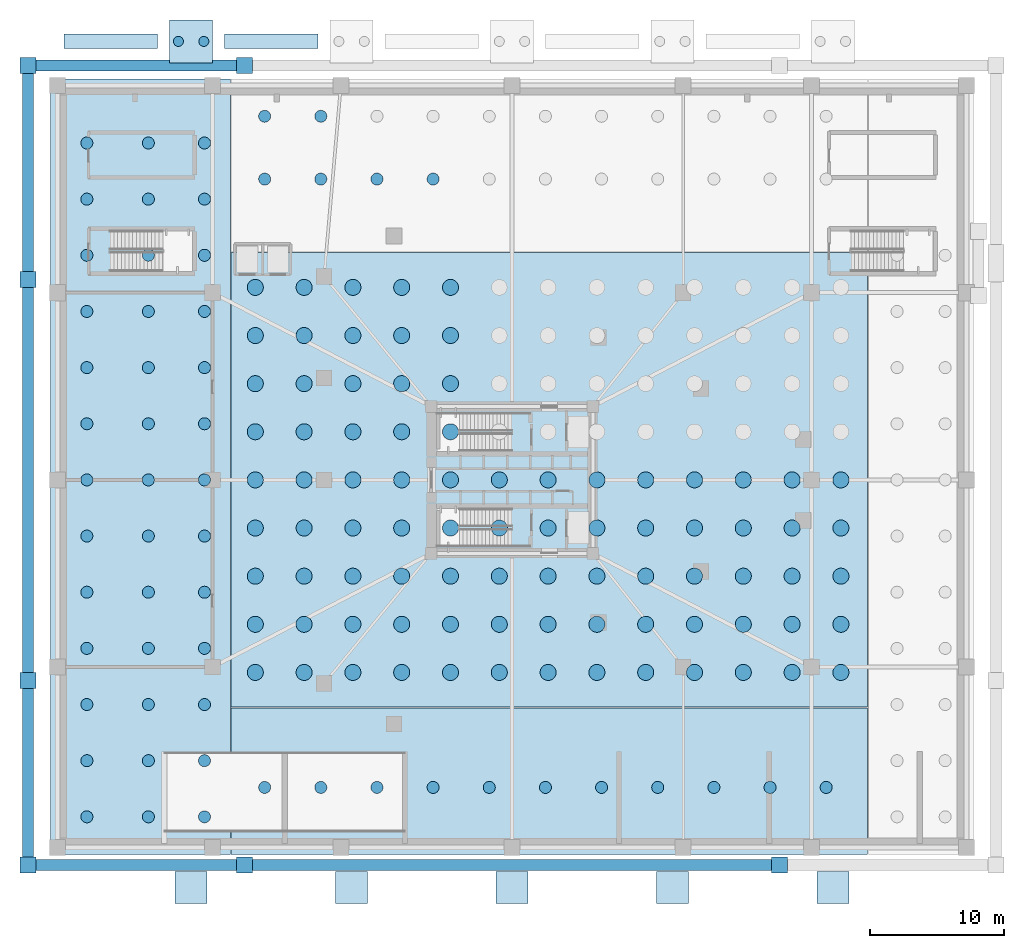
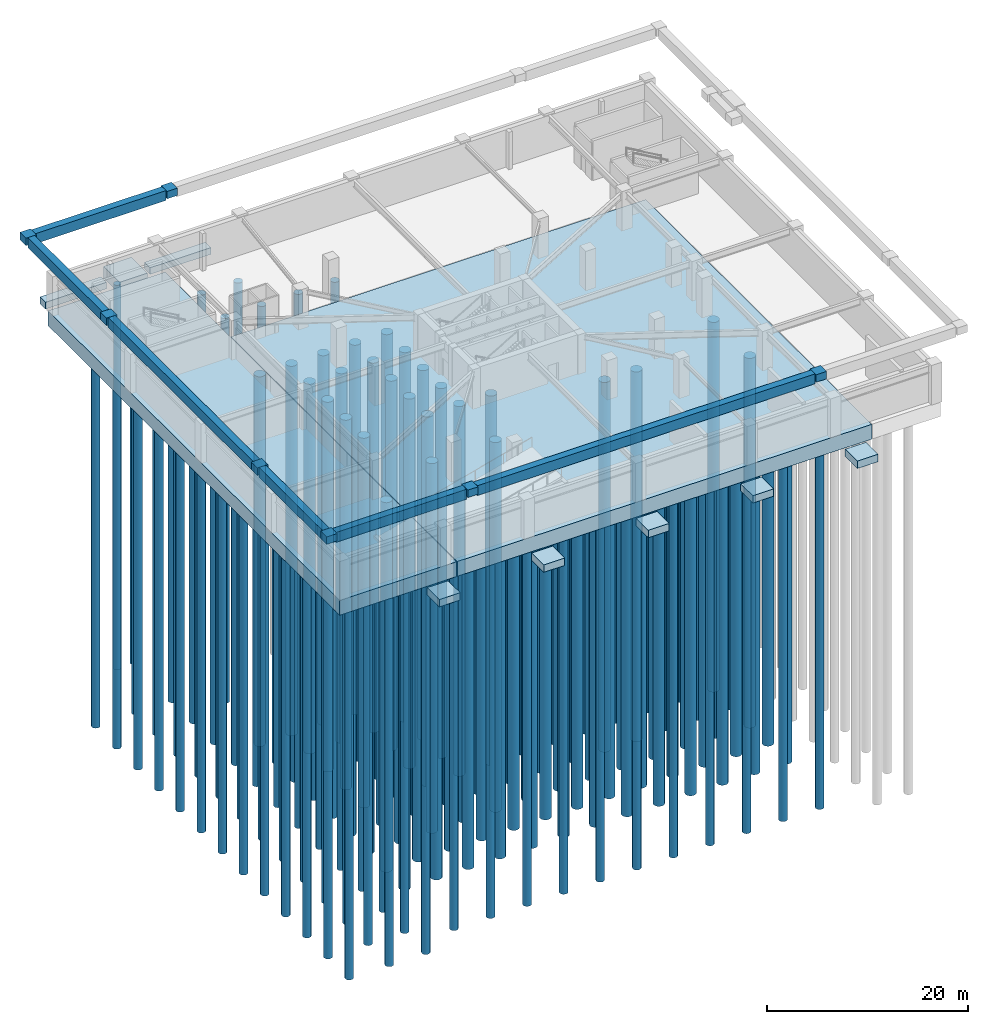
# One storey, part 1 of 14: 143 piles, 24 footings.
"""IFC4 building model written with IfcOpenShell, lengths in metres."""

from ifc_helpers import new_model, si_unit, direction, frame, origin, origin_2d, place, context, subcontext, project, spatial, rectangle, circle, extrude, source, transform, mapped, material, layer, layer_set, material_profile, profile_set, type_object, element, save


model = new_model("IFC4")

# Units and contexts
model_context = context("Model", 3, precision=1e-05, world=origin(), true_north=direction((0.0, 1.0)))
body_context = subcontext(model_context, "Body", "Model", "MODEL_VIEW")
ifc_project = project(units=[si_unit("LENGTHUNIT", "METRE"), si_unit("AREAUNIT", "SQUARE_METRE"), si_unit("VOLUMEUNIT", "CUBIC_METRE"), si_unit("PLANEANGLEUNIT", "RADIAN"), si_unit("MASSUNIT", "GRAM", prefix="KILO")], contexts=[model_context])

# Site, building, storey
site_placement = place(None, origin())
site = spatial("IfcSite", under=ifc_project, at=site_placement, CompositionType="ELEMENT")
building_placement = place(site_placement, origin())
building = spatial("IfcBuilding", under=site, at=building_placement, Name="Yunling Apex Tower", CompositionType="ELEMENT")
storey_placement = place(building_placement, frame((0.0, 0.0, -9.60009765625)))
storey = spatial("IfcBuildingStorey", under=building, at=storey_placement, Name="B02", CompositionType="ELEMENT", Elevation=-9.60009765625)

# Footings
ifc_material = material(Name="Concrete C50", Category="concrete")
ifc_layer_1 = layer(ifc_material, 3.60009765625)
ifc_layer_set_1 = layer_set([ifc_layer_1], Name="Concrete C50")
footing_type_1 = type_object("IfcFootingType", Name="FT-RAFT-TWR", PredefinedType="CAISSON_FOUNDATION", material=ifc_layer_set_1)
shared_shape_1 = source(origin(), body_context, "Body", "SweptSolid", [
    extrude(rectangle(XDim=47.60009765625, YDim=34.0, at=origin_2d()), origin(), (0.0, 0.0, 1.0), 3.60009765625),
])
footing_1_placement = place(storey_placement, frame((2.800048828125, 0.0, -3.599853515625), z_axis=(0.0, 0.0, 1.0), x_axis=(1.0, 0.0, 0.0)))
element("IfcFooting", 1, at=footing_1_placement, inside=storey, type_object=footing_type_1, Name="Tower Core & Megaframe Stepped Mat Raft (3600 mm)", PredefinedType="CAISSON_FOUNDATION", context=body_context, shape_type="MappedRepresentation", body=[
    mapped(shared_shape_1, transform((0.0, 0.0, 0.0), scale=1.0)),
])
ifc_layer_2 = layer(ifc_material, 1.800048828125)
ifc_layer_set_2 = layer_set([ifc_layer_2], Name="Concrete C50")
footing_type_2 = type_object("IfcFootingType", Name="FT-RAFT-POD", PredefinedType="CAISSON_FOUNDATION", material=ifc_layer_set_2)
shared_shape_2 = source(origin(), body_context, "Body", "SweptSolid", [
    extrude(rectangle(XDim=13.43994140625, YDim=58.0, at=origin_2d()), origin(), (0.0, 0.0, 1.0), 1.800048828125),
])
footing_2_placement = place(storey_placement, frame((-27.780029296875, 1.0, -1.7998046875), z_axis=(0.0, 0.0, 1.0), x_axis=(1.0, 0.0, 0.0)))
element("IfcFooting", 2, at=footing_2_placement, inside=storey, type_object=footing_type_2, Name="Podium Stepped Raft Wing W (1800 mm)", PredefinedType="CAISSON_FOUNDATION", context=body_context, shape_type="MappedRepresentation", body=[
    mapped(shared_shape_2, transform((0.0, 0.0, 0.0), scale=1.0)),
])
shared_shape_3 = source(origin(), body_context, "Body", "SweptSolid", [
    extrude(rectangle(XDim=47.60009765625, YDim=10.93994140625, at=origin_2d()), origin(), (0.0, 0.0, 1.0), 1.800048828125),
])
footing_3_placement = place(storey_placement, frame((2.800048828125, -22.530029296875, -1.7998046875), z_axis=(0.0, 0.0, 1.0), x_axis=(1.0, 0.0, 0.0)))
element("IfcFooting", 3, at=footing_3_placement, inside=storey, type_object=footing_type_2, Name="Podium Stepped Raft Wing S (1800 mm)", PredefinedType="CAISSON_FOUNDATION", context=body_context, shape_type="MappedRepresentation", body=[
    mapped(shared_shape_3, transform((0.0, 0.0, 0.0), scale=1.0)),
])
ifc_layer_3 = layer(ifc_material, 1.39990234375)
ifc_layer_set_3 = layer_set([ifc_layer_3], Name="Concrete C50")
footing_type_3 = type_object("IfcFootingType", Name="FT-CAP-1", PredefinedType="PILE_CAP", material=ifc_layer_set_3)
shared_shape_4 = source(origin(), body_context, "Body", "SweptSolid", [
    extrude(rectangle(XDim=3.199951171875, YDim=3.199951171875, at=origin_2d()), origin(), (0.0, 0.0, 1.0), 1.39990234375),
])
footing_4_placement = place(storey_placement, frame((-24.0, 32.800048828125, -1.7998046875), z_axis=(0.0, 0.0, 1.0), x_axis=(1.0, 0.0, 0.0)))
element("IfcFooting", 4, at=footing_4_placement, inside=storey, type_object=footing_type_3, Name="North Plaza Two-Pile Cap 1", PredefinedType="PILE_CAP", context=body_context, shape_type="MappedRepresentation", body=[
    mapped(shared_shape_4, transform((0.0, 0.0, 0.0), scale=1.0)),
])
ifc_layer_4 = layer(ifc_material, 0.89990234375)
ifc_layer_set_4 = layer_set([ifc_layer_4], Name="Concrete C50")
footing_type_4 = type_object("IfcFootingType", Name="FT-PAD-1", PredefinedType="PAD_FOOTING", material=ifc_layer_set_4)
shared_shape_5 = source(origin(), body_context, "Body", "SweptSolid", [
    extrude(rectangle(XDim=2.39990234375, YDim=2.39990234375, at=origin_2d()), origin(), (0.0, 0.0, 1.0), 0.89990234375),
])
for number, where, z_axis, x_axis, name in (
    (5, (-24.0, -30.5, -1.7998046875), (0.0, 0.0, 1.0), (1.0, 0.0, 0.0), "South Canopy Pad Footing 1"),
    (6, (-12.0, -30.5, -1.7998046875), (0.0, 0.0, 1.0), (1.0, 0.0, 0.0), "South Canopy Pad Footing 2"),
    (7, (0.0, -30.5, -1.7998046875), (0.0, 0.0, 1.0), (1.0, 0.0, 0.0), "South Canopy Pad Footing 3"),
    (8, (12.0, -30.5, -1.7998046875), (0.0, 0.0, 1.0), (1.0, 0.0, 0.0), "South Canopy Pad Footing 4"),
    (9, (24.0, -30.5, -1.7998046875), (0.0, 0.0, 1.0), (1.0, 0.0, 0.0), "South Canopy Pad Footing 5"),
):
    element("IfcFooting", number, at=place(storey_placement, frame(where, z_axis=z_axis, x_axis=x_axis)), inside=storey, type_object=footing_type_4, Name=name, PredefinedType="PAD_FOOTING", context=body_context, shape_type="MappedRepresentation", body=[
        mapped(shared_shape_5, transform((0.0, 0.0, 0.0), scale=1.0)),
    ])
ifc_material_profile_1 = material_profile(ifc_material, rectangle(XDim=0.800048828125, YDim=1.199951171875, at=origin_2d()))
ifc_profile_set_1 = profile_set([ifc_material_profile_1], Name="Concrete C50")
footing_type_5 = type_object("IfcFootingType", Name="FT-GBM-1", PredefinedType="FOOTING_BEAM", material=ifc_profile_set_1)
shared_shape_6 = source(origin(), body_context, "Body", "SweptSolid", [
    extrude(rectangle(XDim=0.800048828125, YDim=1.199951171875, at=origin_2d()), origin(), (0.0, 0.0, 1.0), 14.989990234375),
])
for number, where, z_axis, x_axis, name in (
    (10, (-35.594970703125, -28.800048828125, 8.77001953125), (1.0, 0.0, 0.0), (0.0, 1.0, 0.0), "Plaza Ground Tie Beam 01"),
    (11, (-35.594970703125, 31.0, 8.77001953125), (1.0, 0.0, 0.0), (0.0, 1.0, 0.0), "Plaza Ground Tie Beam 04"),
):
    element("IfcFooting", number, at=place(storey_placement, frame(where, z_axis=z_axis, x_axis=x_axis)), inside=storey, type_object=footing_type_5, Name=name, PredefinedType="FOOTING_BEAM", context=body_context, shape_type="MappedRepresentation", body=[
        mapped(shared_shape_6, transform((0.0, 0.0, 0.0), scale=1.0)),
    ])
shared_shape_7 = source(origin(), body_context, "Body", "SweptSolid", [
    extrude(rectangle(XDim=0.800048828125, YDim=1.199951171875, at=origin_2d()), origin(), (0.0, 0.0, 1.0), 38.7900390625),
])
footing_5_placement = place(storey_placement, frame((-19.39501953125, -28.800048828125, 8.77001953125), z_axis=(1.0, 0.0, 0.0), x_axis=(0.0, 1.0, 0.0)))
element("IfcFooting", 12, at=footing_5_placement, inside=storey, type_object=footing_type_5, Name="Plaza Ground Tie Beam 02", PredefinedType="FOOTING_BEAM", context=body_context, shape_type="MappedRepresentation", body=[
    mapped(shared_shape_7, transform((0.0, 0.0, 0.0), scale=1.0)),
])
shared_shape_8 = source(origin(), body_context, "Body", "SweptSolid", [
    extrude(rectangle(XDim=0.800048828125, YDim=1.199951171875, at=origin_2d()), origin(), (0.0, 0.0, 1.0), 12.590087890625),
])
footing_6_placement = place(storey_placement, frame((-36.199951171875, -28.195068359375, 8.77001953125), z_axis=(0.0, 1.0, 0.0), x_axis=(-1.0, 0.0, 0.0)))
element("IfcFooting", 13, at=footing_6_placement, inside=storey, type_object=footing_type_5, Name="Plaza Ground Tie Beam 07", PredefinedType="FOOTING_BEAM", context=body_context, shape_type="MappedRepresentation", body=[
    mapped(shared_shape_8, transform((0.0, 0.0, 0.0), scale=1.0)),
])
shared_shape_9 = source(origin(), body_context, "Body", "SweptSolid", [
    extrude(rectangle(XDim=0.800048828125, YDim=1.199951171875, at=origin_2d()), origin(), (0.0, 0.0, 1.0), 28.7900390625),
])
footing_7_placement = place(storey_placement, frame((-36.199951171875, -14.39501953125, 8.77001953125), z_axis=(0.0, 1.0, 0.0), x_axis=(-1.0, 0.0, 0.0)))
element("IfcFooting", 14, at=footing_7_placement, inside=storey, type_object=footing_type_5, Name="Plaza Ground Tie Beam 08", PredefinedType="FOOTING_BEAM", context=body_context, shape_type="MappedRepresentation", body=[
    mapped(shared_shape_9, transform((0.0, 0.0, 0.0), scale=1.0)),
])
shared_shape_10 = source(origin(), body_context, "Body", "SweptSolid", [
    extrude(rectangle(XDim=0.800048828125, YDim=1.199951171875, at=origin_2d()), origin(), (0.0, 0.0, 1.0), 14.7900390625),
])
footing_8_placement = place(storey_placement, frame((-36.199951171875, 15.60498046875, 8.77001953125), z_axis=(0.0, 1.0, 0.0), x_axis=(-1.0, 0.0, 0.0)))
element("IfcFooting", 15, at=footing_8_placement, inside=storey, type_object=footing_type_5, Name="Plaza Ground Tie Beam 09", PredefinedType="FOOTING_BEAM", context=body_context, shape_type="MappedRepresentation", body=[
    mapped(shared_shape_10, transform((0.0, 0.0, 0.0), scale=1.0)),
])
ifc_material_profile_2 = material_profile(ifc_material, rectangle(XDim=1.10009765625, YDim=0.800048828125, at=origin_2d()))
ifc_profile_set_2 = profile_set([ifc_material_profile_2], Name="Concrete C50")
footing_type_6 = type_object("IfcFootingType", Name="FT-STR-1", PredefinedType="STRIP_FOOTING", material=ifc_profile_set_2)
shared_shape_11 = source(origin(), body_context, "Body", "SweptSolid", [
    extrude(rectangle(XDim=1.10009765625, YDim=0.800048828125, at=origin_2d()), origin(), (0.0, 0.0, 1.0), 7.0),
])
for number, where, z_axis, x_axis, name in (
    (16, (-33.5, 32.800048828125, -1.099853515625), (1.0, 0.0, 0.0), (0.0, 1.0, 0.0), "North Forecourt Strip Footing 1"),
    (17, (-21.5, 32.800048828125, -1.099853515625), (1.0, 0.0, 0.0), (0.0, 1.0, 0.0), "North Forecourt Strip Footing 2"),
):
    element("IfcFooting", number, at=place(storey_placement, frame(where, z_axis=z_axis, x_axis=x_axis)), inside=storey, type_object=footing_type_6, Name=name, PredefinedType="STRIP_FOOTING", context=body_context, shape_type="MappedRepresentation", body=[
        mapped(shared_shape_11, transform((0.0, 0.0, 0.0), scale=1.0)),
    ])

# Piles
ifc_material_profile_3 = material_profile(ifc_material, circle(Radius=0.60009765625, at=origin_2d()))
ifc_profile_set_3 = profile_set([ifc_material_profile_3], Name="Concrete C50")
pile_type_1 = type_object("IfcPileType", Name="PL-D1200", PredefinedType="BORED", material=ifc_profile_set_3)
shared_shape_12 = source(origin(), body_context, "Body", "SweptSolid", [
    extrude(circle(Radius=0.60009765625, at=origin_2d()), origin(), (0.0, 0.0, 1.0), 44.89990234375),
])
for number, where, z_axis, x_axis, name in (
    (18, (-19.199951171875, -14.39990234375, -3.5), (0.0, 0.0, -1.0), (1.0, 0.0, 0.0), "Rock-Socketed Bored Pile PILE-TWR-001"),
    (19, (-19.199951171875, -10.800048828125, -3.5), (0.0, 0.0, -1.0), (1.0, 0.0, 0.0), "Rock-Socketed Bored Pile PILE-TWR-002"),
    (20, (-19.199951171875, -7.199951171875, -3.5), (0.0, 0.0, -1.0), (1.0, 0.0, 0.0), "Rock-Socketed Bored Pile PILE-TWR-003"),
    (21, (-19.199951171875, -3.60009765625, -3.5), (0.0, 0.0, -1.0), (1.0, 0.0, 0.0), "Rock-Socketed Bored Pile PILE-TWR-004"),
    (22, (-19.199951171875, 0.0, -3.5), (0.0, 0.0, -1.0), (1.0, 0.0, 0.0), "Rock-Socketed Bored Pile PILE-TWR-005"),
    (23, (-19.199951171875, 3.60009765625, -3.5), (0.0, 0.0, -1.0), (1.0, 0.0, 0.0), "Rock-Socketed Bored Pile PILE-TWR-006"),
    (24, (-19.199951171875, 7.199951171875, -3.5), (0.0, 0.0, -1.0), (1.0, 0.0, 0.0), "Rock-Socketed Bored Pile PILE-TWR-007"),
    (25, (-19.199951171875, 10.800048828125, -3.5), (0.0, 0.0, -1.0), (1.0, 0.0, 0.0), "Rock-Socketed Bored Pile PILE-TWR-008"),
    (26, (-19.199951171875, 14.39990234375, -3.5), (0.0, 0.0, -1.0), (1.0, 0.0, 0.0), "Rock-Socketed Bored Pile PILE-TWR-009"),
    (27, (-15.550048828125, -14.39990234375, -3.5), (0.0, 0.0, -1.0), (1.0, 0.0, 0.0), "Rock-Socketed Bored Pile PILE-TWR-010"),
    (28, (-15.550048828125, -10.800048828125, -3.5), (0.0, 0.0, -1.0), (1.0, 0.0, 0.0), "Rock-Socketed Bored Pile PILE-TWR-011"),
    (29, (-15.550048828125, -7.199951171875, -3.5), (0.0, 0.0, -1.0), (1.0, 0.0, 0.0), "Rock-Socketed Bored Pile PILE-TWR-012"),
    (30, (-15.550048828125, -3.60009765625, -3.5), (0.0, 0.0, -1.0), (1.0, 0.0, 0.0), "Rock-Socketed Bored Pile PILE-TWR-013"),
    (31, (-15.550048828125, 0.0, -3.5), (0.0, 0.0, -1.0), (1.0, 0.0, 0.0), "Rock-Socketed Bored Pile PILE-TWR-014"),
    (32, (-15.550048828125, 3.60009765625, -3.5), (0.0, 0.0, -1.0), (1.0, 0.0, 0.0), "Rock-Socketed Bored Pile PILE-TWR-015"),
    (33, (-15.550048828125, 7.199951171875, -3.5), (0.0, 0.0, -1.0), (1.0, 0.0, 0.0), "Rock-Socketed Bored Pile PILE-TWR-016"),
    (34, (-15.550048828125, 10.800048828125, -3.5), (0.0, 0.0, -1.0), (1.0, 0.0, 0.0), "Rock-Socketed Bored Pile PILE-TWR-017"),
    (35, (-15.550048828125, 14.39990234375, -3.5), (0.0, 0.0, -1.0), (1.0, 0.0, 0.0), "Rock-Socketed Bored Pile PILE-TWR-018"),
    (36, (-11.89990234375, -14.39990234375, -3.5), (0.0, 0.0, -1.0), (1.0, 0.0, 0.0), "Rock-Socketed Bored Pile PILE-TWR-019"),
    (37, (-11.89990234375, -10.800048828125, -3.5), (0.0, 0.0, -1.0), (1.0, 0.0, 0.0), "Rock-Socketed Bored Pile PILE-TWR-020"),
    (38, (-11.89990234375, -7.199951171875, -3.5), (0.0, 0.0, -1.0), (1.0, 0.0, 0.0), "Rock-Socketed Bored Pile PILE-TWR-021"),
    (39, (-11.89990234375, -3.60009765625, -3.5), (0.0, 0.0, -1.0), (1.0, 0.0, 0.0), "Rock-Socketed Bored Pile PILE-TWR-022"),
    (40, (-11.89990234375, 0.0, -3.5), (0.0, 0.0, -1.0), (1.0, 0.0, 0.0), "Rock-Socketed Bored Pile PILE-TWR-023"),
    (41, (-11.89990234375, 3.60009765625, -3.5), (0.0, 0.0, -1.0), (1.0, 0.0, 0.0), "Rock-Socketed Bored Pile PILE-TWR-024"),
    (42, (-11.89990234375, 7.199951171875, -3.5), (0.0, 0.0, -1.0), (1.0, 0.0, 0.0), "Rock-Socketed Bored Pile PILE-TWR-025"),
    (43, (-11.89990234375, 10.800048828125, -3.5), (0.0, 0.0, -1.0), (1.0, 0.0, 0.0), "Rock-Socketed Bored Pile PILE-TWR-026"),
    (44, (-11.89990234375, 14.39990234375, -3.5), (0.0, 0.0, -1.0), (1.0, 0.0, 0.0), "Rock-Socketed Bored Pile PILE-TWR-027"),
    (45, (-8.25, -14.39990234375, -3.5), (0.0, 0.0, -1.0), (1.0, 0.0, 0.0), "Rock-Socketed Bored Pile PILE-TWR-028"),
    (46, (-8.25, -10.800048828125, -3.5), (0.0, 0.0, -1.0), (1.0, 0.0, 0.0), "Rock-Socketed Bored Pile PILE-TWR-029"),
    (47, (-8.25, -7.199951171875, -3.5), (0.0, 0.0, -1.0), (1.0, 0.0, 0.0), "Rock-Socketed Bored Pile PILE-TWR-030"),
    (48, (-8.25, -3.60009765625, -3.5), (0.0, 0.0, -1.0), (1.0, 0.0, 0.0), "Rock-Socketed Bored Pile PILE-TWR-031"),
    (49, (-8.25, 0.0, -3.5), (0.0, 0.0, -1.0), (1.0, 0.0, 0.0), "Rock-Socketed Bored Pile PILE-TWR-032"),
    (50, (-8.25, 3.60009765625, -3.5), (0.0, 0.0, -1.0), (1.0, 0.0, 0.0), "Rock-Socketed Bored Pile PILE-TWR-033"),
    (51, (-8.25, 7.199951171875, -3.5), (0.0, 0.0, -1.0), (1.0, 0.0, 0.0), "Rock-Socketed Bored Pile PILE-TWR-034"),
    (52, (-8.25, 10.800048828125, -3.5), (0.0, 0.0, -1.0), (1.0, 0.0, 0.0), "Rock-Socketed Bored Pile PILE-TWR-035"),
    (53, (-8.25, 14.39990234375, -3.5), (0.0, 0.0, -1.0), (1.0, 0.0, 0.0), "Rock-Socketed Bored Pile PILE-TWR-036"),
    (54, (-4.60009765625, -14.39990234375, -3.5), (0.0, 0.0, -1.0), (1.0, 0.0, 0.0), "Rock-Socketed Bored Pile PILE-TWR-037"),
    (55, (-4.60009765625, -10.800048828125, -3.5), (0.0, 0.0, -1.0), (1.0, 0.0, 0.0), "Rock-Socketed Bored Pile PILE-TWR-038"),
    (56, (-4.60009765625, -7.199951171875, -3.5), (0.0, 0.0, -1.0), (1.0, 0.0, 0.0), "Rock-Socketed Bored Pile PILE-TWR-039"),
    (57, (-4.60009765625, -3.60009765625, -3.5), (0.0, 0.0, -1.0), (1.0, 0.0, 0.0), "Rock-Socketed Bored Pile PILE-TWR-040"),
    (58, (-4.60009765625, 0.0, -3.5), (0.0, 0.0, -1.0), (1.0, 0.0, 0.0), "Rock-Socketed Bored Pile PILE-TWR-041"),
    (59, (-4.60009765625, 3.60009765625, -3.5), (0.0, 0.0, -1.0), (1.0, 0.0, 0.0), "Rock-Socketed Bored Pile PILE-TWR-042"),
    (60, (-4.60009765625, 7.199951171875, -3.5), (0.0, 0.0, -1.0), (1.0, 0.0, 0.0), "Rock-Socketed Bored Pile PILE-TWR-043"),
    (61, (-4.60009765625, 10.800048828125, -3.5), (0.0, 0.0, -1.0), (1.0, 0.0, 0.0), "Rock-Socketed Bored Pile PILE-TWR-044"),
    (62, (-4.60009765625, 14.39990234375, -3.5), (0.0, 0.0, -1.0), (1.0, 0.0, 0.0), "Rock-Socketed Bored Pile PILE-TWR-045"),
    (63, (-0.949951171875, -14.39990234375, -3.5), (0.0, 0.0, -1.0), (1.0, 0.0, 0.0), "Rock-Socketed Bored Pile PILE-TWR-046"),
    (64, (-0.949951171875, -10.800048828125, -3.5), (0.0, 0.0, -1.0), (1.0, 0.0, 0.0), "Rock-Socketed Bored Pile PILE-TWR-047"),
    (65, (-0.949951171875, -7.199951171875, -3.5), (0.0, 0.0, -1.0), (1.0, 0.0, 0.0), "Rock-Socketed Bored Pile PILE-TWR-048"),
    (66, (-0.949951171875, -3.60009765625, -3.5), (0.0, 0.0, -1.0), (1.0, 0.0, 0.0), "Rock-Socketed Bored Pile PILE-TWR-049"),
    (67, (-0.949951171875, 0.0, -3.5), (0.0, 0.0, -1.0), (1.0, 0.0, 0.0), "Rock-Socketed Bored Pile PILE-TWR-050"),
    (68, (2.699951171875, -14.39990234375, -3.5), (0.0, 0.0, -1.0), (1.0, 0.0, 0.0), "Rock-Socketed Bored Pile PILE-TWR-055"),
    (69, (2.699951171875, -10.800048828125, -3.5), (0.0, 0.0, -1.0), (1.0, 0.0, 0.0), "Rock-Socketed Bored Pile PILE-TWR-056"),
    (70, (2.699951171875, -7.199951171875, -3.5), (0.0, 0.0, -1.0), (1.0, 0.0, 0.0), "Rock-Socketed Bored Pile PILE-TWR-057"),
    (71, (2.699951171875, -3.60009765625, -3.5), (0.0, 0.0, -1.0), (1.0, 0.0, 0.0), "Rock-Socketed Bored Pile PILE-TWR-058"),
    (72, (2.699951171875, 0.0, -3.5), (0.0, 0.0, -1.0), (1.0, 0.0, 0.0), "Rock-Socketed Bored Pile PILE-TWR-059"),
    (73, (6.35009765625, -14.39990234375, -3.5), (0.0, 0.0, -1.0), (1.0, 0.0, 0.0), "Rock-Socketed Bored Pile PILE-TWR-064"),
    (74, (6.35009765625, -10.800048828125, -3.5), (0.0, 0.0, -1.0), (1.0, 0.0, 0.0), "Rock-Socketed Bored Pile PILE-TWR-065"),
    (75, (6.35009765625, -7.199951171875, -3.5), (0.0, 0.0, -1.0), (1.0, 0.0, 0.0), "Rock-Socketed Bored Pile PILE-TWR-066"),
    (76, (6.35009765625, -3.60009765625, -3.5), (0.0, 0.0, -1.0), (1.0, 0.0, 0.0), "Rock-Socketed Bored Pile PILE-TWR-067"),
    (77, (6.35009765625, 0.0, -3.5), (0.0, 0.0, -1.0), (1.0, 0.0, 0.0), "Rock-Socketed Bored Pile PILE-TWR-068"),
    (78, (10.0, -14.39990234375, -3.5), (0.0, 0.0, -1.0), (1.0, 0.0, 0.0), "Rock-Socketed Bored Pile PILE-TWR-073"),
    (79, (10.0, -10.800048828125, -3.5), (0.0, 0.0, -1.0), (1.0, 0.0, 0.0), "Rock-Socketed Bored Pile PILE-TWR-074"),
    (80, (10.0, -7.199951171875, -3.5), (0.0, 0.0, -1.0), (1.0, 0.0, 0.0), "Rock-Socketed Bored Pile PILE-TWR-075"),
    (81, (10.0, -3.60009765625, -3.5), (0.0, 0.0, -1.0), (1.0, 0.0, 0.0), "Rock-Socketed Bored Pile PILE-TWR-076"),
    (82, (10.0, 0.0, -3.5), (0.0, 0.0, -1.0), (1.0, 0.0, 0.0), "Rock-Socketed Bored Pile PILE-TWR-077"),
    (83, (13.64990234375, -14.39990234375, -3.5), (0.0, 0.0, -1.0), (1.0, 0.0, 0.0), "Rock-Socketed Bored Pile PILE-TWR-082"),
    (84, (13.64990234375, -10.800048828125, -3.5), (0.0, 0.0, -1.0), (1.0, 0.0, 0.0), "Rock-Socketed Bored Pile PILE-TWR-083"),
    (85, (13.64990234375, -7.199951171875, -3.5), (0.0, 0.0, -1.0), (1.0, 0.0, 0.0), "Rock-Socketed Bored Pile PILE-TWR-084"),
    (86, (13.64990234375, -3.60009765625, -3.5), (0.0, 0.0, -1.0), (1.0, 0.0, 0.0), "Rock-Socketed Bored Pile PILE-TWR-085"),
    (87, (13.64990234375, 0.0, -3.5), (0.0, 0.0, -1.0), (1.0, 0.0, 0.0), "Rock-Socketed Bored Pile PILE-TWR-086"),
    (88, (17.300048828125, -14.39990234375, -3.5), (0.0, 0.0, -1.0), (1.0, 0.0, 0.0), "Rock-Socketed Bored Pile PILE-TWR-091"),
    (89, (17.300048828125, -10.800048828125, -3.5), (0.0, 0.0, -1.0), (1.0, 0.0, 0.0), "Rock-Socketed Bored Pile PILE-TWR-092"),
    (90, (17.300048828125, -7.199951171875, -3.5), (0.0, 0.0, -1.0), (1.0, 0.0, 0.0), "Rock-Socketed Bored Pile PILE-TWR-093"),
    (91, (17.300048828125, -3.60009765625, -3.5), (0.0, 0.0, -1.0), (1.0, 0.0, 0.0), "Rock-Socketed Bored Pile PILE-TWR-094"),
    (92, (17.300048828125, 0.0, -3.5), (0.0, 0.0, -1.0), (1.0, 0.0, 0.0), "Rock-Socketed Bored Pile PILE-TWR-095"),
    (93, (20.949951171875, -14.39990234375, -3.5), (0.0, 0.0, -1.0), (1.0, 0.0, 0.0), "Rock-Socketed Bored Pile PILE-TWR-100"),
    (94, (20.949951171875, -10.800048828125, -3.5), (0.0, 0.0, -1.0), (1.0, 0.0, 0.0), "Rock-Socketed Bored Pile PILE-TWR-101"),
    (95, (20.949951171875, -7.199951171875, -3.5), (0.0, 0.0, -1.0), (1.0, 0.0, 0.0), "Rock-Socketed Bored Pile PILE-TWR-102"),
    (96, (20.949951171875, -3.60009765625, -3.5), (0.0, 0.0, -1.0), (1.0, 0.0, 0.0), "Rock-Socketed Bored Pile PILE-TWR-103"),
    (97, (20.949951171875, 0.0, -3.5), (0.0, 0.0, -1.0), (1.0, 0.0, 0.0), "Rock-Socketed Bored Pile PILE-TWR-104"),
    (98, (24.60009765625, -14.39990234375, -3.5), (0.0, 0.0, -1.0), (1.0, 0.0, 0.0), "Rock-Socketed Bored Pile PILE-TWR-109"),
    (99, (24.60009765625, -10.800048828125, -3.5), (0.0, 0.0, -1.0), (1.0, 0.0, 0.0), "Rock-Socketed Bored Pile PILE-TWR-110"),
    (100, (24.60009765625, -7.199951171875, -3.5), (0.0, 0.0, -1.0), (1.0, 0.0, 0.0), "Rock-Socketed Bored Pile PILE-TWR-111"),
    (101, (24.60009765625, -3.60009765625, -3.5), (0.0, 0.0, -1.0), (1.0, 0.0, 0.0), "Rock-Socketed Bored Pile PILE-TWR-112"),
    (102, (24.60009765625, 0.0, -3.5), (0.0, 0.0, -1.0), (1.0, 0.0, 0.0), "Rock-Socketed Bored Pile PILE-TWR-113"),
):
    element("IfcPile", number, at=place(storey_placement, frame(where, z_axis=z_axis, x_axis=x_axis)), inside=storey, type_object=pile_type_1, Name=name, PredefinedType="BORED", context=body_context, shape_type="MappedRepresentation", body=[
        mapped(shared_shape_12, transform((0.0, 0.0, 0.0), scale=1.0)),
    ])
ifc_material_profile_4 = material_profile(ifc_material, circle(Radius=0.449951171875, at=origin_2d()))
ifc_profile_set_4 = profile_set([ifc_material_profile_4], Name="Concrete C50")
pile_type_2 = type_object("IfcPileType", Name="PL-D900", PredefinedType="BORED", material=ifc_profile_set_4)
shared_shape_13 = source(origin(), body_context, "Body", "SweptSolid", [
    extrude(circle(Radius=0.449951171875, at=origin_2d()), origin(), (0.0, 0.0, 1.0), 46.699951171875),
])
for number, where, z_axis, x_axis, name in (
    (103, (-31.800048828125, -25.199951171875, -1.699951171875), (0.0, 0.0, -1.0), (1.0, 0.0, 0.0), "Rock-Socketed Bored Pile PILE-POD-001"),
    (104, (-31.800048828125, -21.0, -1.699951171875), (0.0, 0.0, -1.0), (1.0, 0.0, 0.0), "Rock-Socketed Bored Pile PILE-POD-002"),
    (105, (-31.800048828125, -16.800048828125, -1.699951171875), (0.0, 0.0, -1.0), (1.0, 0.0, 0.0), "Rock-Socketed Bored Pile PILE-POD-003"),
    (106, (-31.800048828125, -12.60009765625, -1.699951171875), (0.0, 0.0, -1.0), (1.0, 0.0, 0.0), "Rock-Socketed Bored Pile PILE-POD-004"),
    (107, (-31.800048828125, -8.39990234375, -1.699951171875), (0.0, 0.0, -1.0), (1.0, 0.0, 0.0), "Rock-Socketed Bored Pile PILE-POD-005"),
    (108, (-31.800048828125, -4.199951171875, -1.699951171875), (0.0, 0.0, -1.0), (1.0, 0.0, 0.0), "Rock-Socketed Bored Pile PILE-POD-006"),
    (109, (-31.800048828125, 0.0, -1.699951171875), (0.0, 0.0, -1.0), (1.0, 0.0, 0.0), "Rock-Socketed Bored Pile PILE-POD-007"),
    (110, (-31.800048828125, 4.199951171875, -1.699951171875), (0.0, 0.0, -1.0), (1.0, 0.0, 0.0), "Rock-Socketed Bored Pile PILE-POD-008"),
    (111, (-31.800048828125, 8.39990234375, -1.699951171875), (0.0, 0.0, -1.0), (1.0, 0.0, 0.0), "Rock-Socketed Bored Pile PILE-POD-009"),
    (112, (-31.800048828125, 12.60009765625, -1.699951171875), (0.0, 0.0, -1.0), (1.0, 0.0, 0.0), "Rock-Socketed Bored Pile PILE-POD-010"),
    (113, (-31.800048828125, 16.800048828125, -1.699951171875), (0.0, 0.0, -1.0), (1.0, 0.0, 0.0), "Rock-Socketed Bored Pile PILE-POD-011"),
    (114, (-31.800048828125, 21.0, -1.699951171875), (0.0, 0.0, -1.0), (1.0, 0.0, 0.0), "Rock-Socketed Bored Pile PILE-POD-012"),
    (115, (-31.800048828125, 25.199951171875, -1.699951171875), (0.0, 0.0, -1.0), (1.0, 0.0, 0.0), "Rock-Socketed Bored Pile PILE-POD-013"),
    (116, (-27.199951171875, -25.199951171875, -1.699951171875), (0.0, 0.0, -1.0), (1.0, 0.0, 0.0), "Rock-Socketed Bored Pile PILE-POD-014"),
    (117, (-27.199951171875, -21.0, -1.699951171875), (0.0, 0.0, -1.0), (1.0, 0.0, 0.0), "Rock-Socketed Bored Pile PILE-POD-015"),
    (118, (-27.199951171875, -16.800048828125, -1.699951171875), (0.0, 0.0, -1.0), (1.0, 0.0, 0.0), "Rock-Socketed Bored Pile PILE-POD-016"),
    (119, (-27.199951171875, -12.60009765625, -1.699951171875), (0.0, 0.0, -1.0), (1.0, 0.0, 0.0), "Rock-Socketed Bored Pile PILE-POD-017"),
    (120, (-27.199951171875, -8.39990234375, -1.699951171875), (0.0, 0.0, -1.0), (1.0, 0.0, 0.0), "Rock-Socketed Bored Pile PILE-POD-018"),
    (121, (-27.199951171875, -4.199951171875, -1.699951171875), (0.0, 0.0, -1.0), (1.0, 0.0, 0.0), "Rock-Socketed Bored Pile PILE-POD-019"),
    (122, (-27.199951171875, 0.0, -1.699951171875), (0.0, 0.0, -1.0), (1.0, 0.0, 0.0), "Rock-Socketed Bored Pile PILE-POD-020"),
    (123, (-27.199951171875, 4.199951171875, -1.699951171875), (0.0, 0.0, -1.0), (1.0, 0.0, 0.0), "Rock-Socketed Bored Pile PILE-POD-021"),
    (124, (-27.199951171875, 8.39990234375, -1.699951171875), (0.0, 0.0, -1.0), (1.0, 0.0, 0.0), "Rock-Socketed Bored Pile PILE-POD-022"),
    (125, (-27.199951171875, 12.60009765625, -1.699951171875), (0.0, 0.0, -1.0), (1.0, 0.0, 0.0), "Rock-Socketed Bored Pile PILE-POD-023"),
    (126, (-27.199951171875, 16.800048828125, -1.699951171875), (0.0, 0.0, -1.0), (1.0, 0.0, 0.0), "Rock-Socketed Bored Pile PILE-POD-024"),
    (127, (-27.199951171875, 21.0, -1.699951171875), (0.0, 0.0, -1.0), (1.0, 0.0, 0.0), "Rock-Socketed Bored Pile PILE-POD-025"),
    (128, (-27.199951171875, 25.199951171875, -1.699951171875), (0.0, 0.0, -1.0), (1.0, 0.0, 0.0), "Rock-Socketed Bored Pile PILE-POD-026"),
    (129, (-23.0, -25.199951171875, -1.699951171875), (0.0, 0.0, -1.0), (1.0, 0.0, 0.0), "Rock-Socketed Bored Pile PILE-POD-027"),
    (130, (-23.0, -21.0, -1.699951171875), (0.0, 0.0, -1.0), (1.0, 0.0, 0.0), "Rock-Socketed Bored Pile PILE-POD-028"),
    (131, (-23.0, -16.800048828125, -1.699951171875), (0.0, 0.0, -1.0), (1.0, 0.0, 0.0), "Rock-Socketed Bored Pile PILE-POD-029"),
    (132, (-23.0, -12.60009765625, -1.699951171875), (0.0, 0.0, -1.0), (1.0, 0.0, 0.0), "Rock-Socketed Bored Pile PILE-POD-030"),
    (133, (-23.0, -8.39990234375, -1.699951171875), (0.0, 0.0, -1.0), (1.0, 0.0, 0.0), "Rock-Socketed Bored Pile PILE-POD-031"),
    (134, (-23.0, -4.199951171875, -1.699951171875), (0.0, 0.0, -1.0), (1.0, 0.0, 0.0), "Rock-Socketed Bored Pile PILE-POD-032"),
    (135, (-23.0, 0.0, -1.699951171875), (0.0, 0.0, -1.0), (1.0, 0.0, 0.0), "Rock-Socketed Bored Pile PILE-POD-033"),
    (136, (-23.0, 4.199951171875, -1.699951171875), (0.0, 0.0, -1.0), (1.0, 0.0, 0.0), "Rock-Socketed Bored Pile PILE-POD-034"),
    (137, (-23.0, 8.39990234375, -1.699951171875), (0.0, 0.0, -1.0), (1.0, 0.0, 0.0), "Rock-Socketed Bored Pile PILE-POD-035"),
    (138, (-23.0, 12.60009765625, -1.699951171875), (0.0, 0.0, -1.0), (1.0, 0.0, 0.0), "Rock-Socketed Bored Pile PILE-POD-036"),
    (139, (-23.0, 16.800048828125, -1.699951171875), (0.0, 0.0, -1.0), (1.0, 0.0, 0.0), "Rock-Socketed Bored Pile PILE-POD-037"),
    (140, (-23.0, 21.0, -1.699951171875), (0.0, 0.0, -1.0), (1.0, 0.0, 0.0), "Rock-Socketed Bored Pile PILE-POD-038"),
    (141, (-23.0, 25.199951171875, -1.699951171875), (0.0, 0.0, -1.0), (1.0, 0.0, 0.0), "Rock-Socketed Bored Pile PILE-POD-039"),
    (142, (-18.5, -23.0, -1.699951171875), (0.0, 0.0, -1.0), (1.0, 0.0, 0.0), "Rock-Socketed Bored Pile PILE-POD-062"),
    (143, (-14.300048828125, -23.0, -1.699951171875), (0.0, 0.0, -1.0), (1.0, 0.0, 0.0), "Rock-Socketed Bored Pile PILE-POD-063"),
    (144, (-10.10009765625, -23.0, -1.699951171875), (0.0, 0.0, -1.0), (1.0, 0.0, 0.0), "Rock-Socketed Bored Pile PILE-POD-064"),
    (145, (-5.89990234375, -23.0, -1.699951171875), (0.0, 0.0, -1.0), (1.0, 0.0, 0.0), "Rock-Socketed Bored Pile PILE-POD-065"),
    (146, (-1.699951171875, -23.0, -1.699951171875), (0.0, 0.0, -1.0), (1.0, 0.0, 0.0), "Rock-Socketed Bored Pile PILE-POD-066"),
    (147, (2.5, -23.0, -1.699951171875), (0.0, 0.0, -1.0), (1.0, 0.0, 0.0), "Rock-Socketed Bored Pile PILE-POD-067"),
    (148, (6.699951171875, -23.0, -1.699951171875), (0.0, 0.0, -1.0), (1.0, 0.0, 0.0), "Rock-Socketed Bored Pile PILE-POD-068"),
    (149, (10.89990234375, -23.0, -1.699951171875), (0.0, 0.0, -1.0), (1.0, 0.0, 0.0), "Rock-Socketed Bored Pile PILE-POD-069"),
    (150, (15.10009765625, -23.0, -1.699951171875), (0.0, 0.0, -1.0), (1.0, 0.0, 0.0), "Rock-Socketed Bored Pile PILE-POD-070"),
    (151, (19.300048828125, -23.0, -1.699951171875), (0.0, 0.0, -1.0), (1.0, 0.0, 0.0), "Rock-Socketed Bored Pile PILE-POD-071"),
    (152, (23.5, -23.0, -1.699951171875), (0.0, 0.0, -1.0), (1.0, 0.0, 0.0), "Rock-Socketed Bored Pile PILE-POD-072"),
    (153, (-18.5, 22.5, -1.699951171875), (0.0, 0.0, -1.0), (1.0, 0.0, 0.0), "Rock-Socketed Bored Pile PILE-POD-073"),
    (154, (-14.300048828125, 22.5, -1.699951171875), (0.0, 0.0, -1.0), (1.0, 0.0, 0.0), "Rock-Socketed Bored Pile PILE-POD-074"),
    (155, (-10.10009765625, 22.5, -1.699951171875), (0.0, 0.0, -1.0), (1.0, 0.0, 0.0), "Rock-Socketed Bored Pile PILE-POD-075"),
    (156, (-5.89990234375, 22.5, -1.699951171875), (0.0, 0.0, -1.0), (1.0, 0.0, 0.0), "Rock-Socketed Bored Pile PILE-POD-076"),
    (157, (-18.5, 27.199951171875, -1.699951171875), (0.0, 0.0, -1.0), (1.0, 0.0, 0.0), "Rock-Socketed Bored Pile PILE-POD-084"),
    (158, (-14.300048828125, 27.199951171875, -1.699951171875), (0.0, 0.0, -1.0), (1.0, 0.0, 0.0), "Rock-Socketed Bored Pile PILE-POD-085"),
):
    element("IfcPile", number, at=place(storey_placement, frame(where, z_axis=z_axis, x_axis=x_axis)), inside=storey, type_object=pile_type_2, Name=name, PredefinedType="BORED", context=body_context, shape_type="MappedRepresentation", body=[
        mapped(shared_shape_13, transform((0.0, 0.0, 0.0), scale=1.0)),
    ])
ifc_material_profile_5 = material_profile(ifc_material, circle(Radius=0.375, at=origin_2d()))
ifc_profile_set_5 = profile_set([ifc_material_profile_5], Name="Concrete C50")
pile_type_3 = type_object("IfcPileType", Name="PL-D750", PredefinedType="BORED", material=ifc_profile_set_5)
shared_shape_14 = source(origin(), body_context, "Body", "SweptSolid", [
    extrude(circle(Radius=0.375, at=origin_2d()), origin(), (0.0, 0.0, 1.0), 46.699951171875),
])
for number, where, z_axis, x_axis, name in (
    (159, (-24.949951171875, 32.800048828125, -1.699951171875), (0.0, 0.0, -1.0), (1.0, 0.0, 0.0), "Rock-Socketed Bored Pile PILE-CAP-01"),
    (160, (-23.050048828125, 32.800048828125, -1.699951171875), (0.0, 0.0, -1.0), (1.0, 0.0, 0.0), "Rock-Socketed Bored Pile PILE-CAP-02"),
):
    element("IfcPile", number, at=place(storey_placement, frame(where, z_axis=z_axis, x_axis=x_axis)), inside=storey, type_object=pile_type_3, Name=name, PredefinedType="BORED", context=body_context, shape_type="MappedRepresentation", body=[
        mapped(shared_shape_14, transform((0.0, 0.0, 0.0), scale=1.0)),
    ])

# Footings
shared_shape_15 = source(origin(), body_context, "Body", "SweptSolid", [
    extrude(rectangle(XDim=1.199951171875, YDim=1.199951171875, at=origin_2d()), origin(), (0.0, 0.0, 1.0), 0.89990234375),
])
for number, where, z_axis, x_axis, name in (
    (161, (-36.199951171875, -28.800048828125, 8.47021484375), (0.0, 0.0, 1.0), (1.0, 0.0, 0.0), "Plaza Slab Grade Footing 1"),
    (162, (-36.199951171875, 31.0, 8.47021484375), (0.0, 0.0, 1.0), (1.0, 0.0, 0.0), "Plaza Slab Grade Footing 3"),
    (163, (-20.0, -28.800048828125, 8.47021484375), (0.0, 0.0, 1.0), (1.0, 0.0, 0.0), "Plaza Slab Grade Footing 5"),
    (164, (20.0, -28.800048828125, 8.47021484375), (0.0, 0.0, 1.0), (1.0, 0.0, 0.0), "Plaza Slab Grade Footing 6"),
    (165, (-20.0, 31.0, 8.47021484375), (0.0, 0.0, 1.0), (1.0, 0.0, 0.0), "Plaza Slab Grade Footing 7"),
    (166, (-36.199951171875, -15.0, 8.47021484375), (0.0, 0.0, 1.0), (1.0, 0.0, 0.0), "Plaza Slab Grade Footing 9"),
    (167, (-36.199951171875, 15.0, 8.47021484375), (0.0, 0.0, 1.0), (1.0, 0.0, 0.0), "Plaza Slab Grade Footing 10"),
):
    element("IfcFooting", number, at=place(storey_placement, frame(where, z_axis=z_axis, x_axis=x_axis)), inside=storey, type_object=footing_type_4, Name=name, PredefinedType="PAD_FOOTING", context=body_context, shape_type="MappedRepresentation", body=[
        mapped(shared_shape_15, transform((0.0, 0.0, 0.0), scale=1.0)),
    ])

save(model, "model.ifc")
